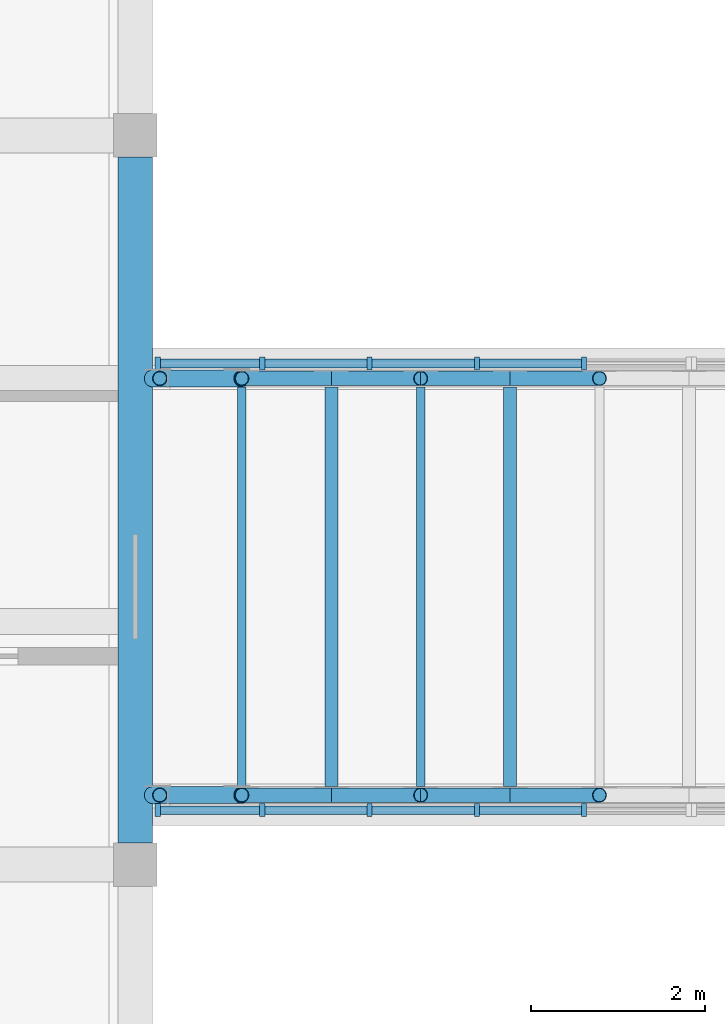
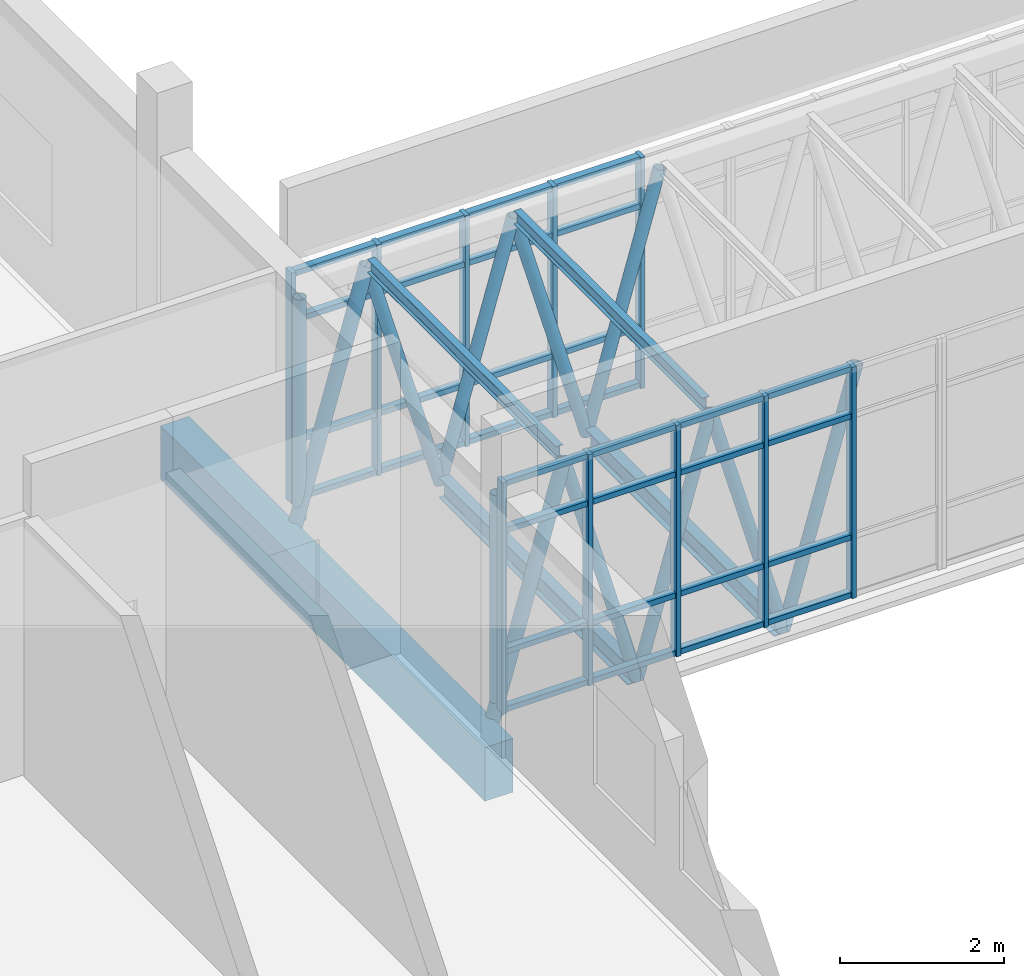
# One storey, part 3 of 119: 54 members, 5 beams, 2 elements without a shape of their own.
"""IFC4 building model written with IfcOpenShell, lengths in metres."""

from ifc_helpers import new_model, si_unit, direction, frame, origin, origin_2d, place, context, subcontext, project, spatial, rectangle, hollow_circle, i_section, extrude, material, layer, layer_set, material_profile, profile_set, type_object, element, aggregate, save


model = new_model("IFC4")

# Units and contexts
model_context = context("Model", 3, precision=1e-05, world=origin(), true_north=direction((0.0, 1.0)))
body_context = subcontext(model_context, "Body", "Model", "MODEL_VIEW")
ifc_project = project(units=[si_unit("LENGTHUNIT", "METRE"), si_unit("AREAUNIT", "SQUARE_METRE"), si_unit("VOLUMEUNIT", "CUBIC_METRE"), si_unit("PLANEANGLEUNIT", "RADIAN"), si_unit("MASSUNIT", "GRAM", prefix="KILO")], contexts=[model_context])

# Site, building, storey
site_placement = place(None, origin())
site = spatial("IfcSite", under=ifc_project, at=site_placement, CompositionType="ELEMENT")
building_placement = place(site_placement, origin())
building = spatial("IfcBuilding", under=site, at=building_placement, Name="Larchfold Concert Hall", CompositionType="ELEMENT")
storey_placement = place(building_placement, frame((0.0, 0.0, 4.800048828125)))
storey = spatial("IfcBuildingStorey", under=building, at=storey_placement, Name="L01", CompositionType="ELEMENT", Elevation=4.800048828125)

# Curtain wall, members
ifc_material_1 = material(Name="Anodised graphite aluminium curtain wall", Category="aluminium")
ifc_layer = layer(ifc_material_1, 0.14990234375)
ifc_layer_set = layer_set([ifc_layer], Name="Anodised graphite aluminium curtain wall")
curtain_wall_type = type_object("IfcCurtainWallType", Name="Curtain wall WG", PredefinedType="NOTDEFINED", material=ifc_layer_set)
curtain_wall_1_placement = place(storey_placement, origin())
curtain_wall_1 = element("IfcCurtainWall", 1, at=curtain_wall_1_placement, inside=storey, type_object=curtain_wall_type, Name="Curtain wall CW0303", PredefinedType="NOTDEFINED")
ifc_material_2 = material(Name="Anodised graphite aluminium mullion", Category="aluminium")
ifc_material_profile_1 = material_profile(ifc_material_2, rectangle(XDim=0.14990234375, YDim=0.06005859375, at=origin_2d()))
ifc_profile_set_1 = profile_set([ifc_material_profile_1], Name="Anodised graphite aluminium mullion")
member_type_1 = type_object("IfcMemberType", Name="Aluminium mullion 60x150", PredefinedType="MULLION", material=ifc_profile_set_1)
member_1_placement = place(storey_placement, frame((59.659912109375, 9.626708984375, 0.0), z_axis=(0.0, 0.0, 1.0), x_axis=(0.0, 1.0, 0.0)))
member_1 = element("IfcMember", 2, at=member_1_placement, type_object=member_type_1, Name="CW0303 mullion 1", PredefinedType="MULLION", context=body_context, shape_type="SweptSolid", body=[
    extrude(rectangle(XDim=0.14990234375, YDim=0.06005859375, at=origin_2d()), origin(), (0.0, 0.0, 1.0), 3.43994140625),
])
member_2_placement = place(storey_placement, frame((60.86572265625, 9.626708984375, 0.0), z_axis=(0.0, 0.0, 1.0), x_axis=(0.0, 1.0, 0.0)))
member_2 = element("IfcMember", 3, at=member_2_placement, type_object=member_type_1, Name="CW0303 mullion 2", PredefinedType="MULLION", context=body_context, shape_type="SweptSolid", body=[
    extrude(rectangle(XDim=0.14990234375, YDim=0.06005859375, at=origin_2d()), origin(), (0.0, 0.0, 1.0), 3.43994140625),
])
member_3_placement = place(storey_placement, frame((62.101318359375, 9.626708984375, 0.0), z_axis=(0.0, 0.0, 1.0), x_axis=(0.0, 1.0, 0.0)))
member_3 = element("IfcMember", 4, at=member_3_placement, type_object=member_type_1, Name="CW0303 mullion 3", PredefinedType="MULLION", context=body_context, shape_type="SweptSolid", body=[
    extrude(rectangle(XDim=0.14990234375, YDim=0.06005859375, at=origin_2d()), origin(), (0.0, 0.0, 1.0), 3.43994140625),
])
member_4_placement = place(storey_placement, frame((63.337158203125, 9.626708984375, 0.0), z_axis=(0.0, 0.0, 1.0), x_axis=(0.0, 1.0, 0.0)))
member_4 = element("IfcMember", 5, at=member_4_placement, type_object=member_type_1, Name="CW0303 mullion 4", PredefinedType="MULLION", context=body_context, shape_type="SweptSolid", body=[
    extrude(rectangle(XDim=0.14990234375, YDim=0.06005859375, at=origin_2d()), origin(), (0.0, 0.0, 1.0), 3.43994140625),
])
member_5_placement = place(storey_placement, frame((64.57275390625, 9.626708984375, 0.0), z_axis=(0.0, 0.0, 1.0), x_axis=(0.0, 1.0, 0.0)))
member_5 = element("IfcMember", 6, at=member_5_placement, type_object=member_type_1, Name="CW0303 mullion 5", PredefinedType="MULLION", context=body_context, shape_type="SweptSolid", body=[
    extrude(rectangle(XDim=0.14990234375, YDim=0.06005859375, at=origin_2d()), origin(), (0.0, 0.0, 1.0), 3.43994140625),
])

curtain_wall_2_placement = place(storey_placement, origin())
curtain_wall_2 = element("IfcCurtainWall", 7, at=curtain_wall_2_placement, inside=storey, type_object=curtain_wall_type, Name="Curtain wall CW0307", PredefinedType="NOTDEFINED")
member_6_placement = place(storey_placement, frame((59.659912109375, 14.7734375, 0.0), z_axis=(0.0, 0.0, 1.0), x_axis=(0.0, 1.0, 0.0)))
member_6 = element("IfcMember", 8, at=member_6_placement, type_object=member_type_1, Name="CW0307 mullion 1", PredefinedType="MULLION", context=body_context, shape_type="SweptSolid", body=[
    extrude(rectangle(XDim=0.14990234375, YDim=0.06005859375, at=origin_2d()), origin(), (0.0, 0.0, 1.0), 3.43994140625),
])
member_7_placement = place(storey_placement, frame((60.86572265625, 14.7734375, 0.0), z_axis=(0.0, 0.0, 1.0), x_axis=(0.0, 1.0, 0.0)))
member_7 = element("IfcMember", 9, at=member_7_placement, type_object=member_type_1, Name="CW0307 mullion 2", PredefinedType="MULLION", context=body_context, shape_type="SweptSolid", body=[
    extrude(rectangle(XDim=0.14990234375, YDim=0.06005859375, at=origin_2d()), origin(), (0.0, 0.0, 1.0), 3.43994140625),
])
member_8_placement = place(storey_placement, frame((62.101318359375, 14.7734375, 0.0), z_axis=(0.0, 0.0, 1.0), x_axis=(0.0, 1.0, 0.0)))
member_8 = element("IfcMember", 10, at=member_8_placement, type_object=member_type_1, Name="CW0307 mullion 3", PredefinedType="MULLION", context=body_context, shape_type="SweptSolid", body=[
    extrude(rectangle(XDim=0.14990234375, YDim=0.06005859375, at=origin_2d()), origin(), (0.0, 0.0, 1.0), 3.43994140625),
])
member_9_placement = place(storey_placement, frame((63.337158203125, 14.7734375, 0.0), z_axis=(0.0, 0.0, 1.0), x_axis=(0.0, 1.0, 0.0)))
member_9 = element("IfcMember", 11, at=member_9_placement, type_object=member_type_1, Name="CW0307 mullion 4", PredefinedType="MULLION", context=body_context, shape_type="SweptSolid", body=[
    extrude(rectangle(XDim=0.14990234375, YDim=0.06005859375, at=origin_2d()), origin(), (0.0, 0.0, 1.0), 3.43994140625),
])
member_10_placement = place(storey_placement, frame((64.57275390625, 14.7734375, 0.0), z_axis=(0.0, 0.0, 1.0), x_axis=(0.0, 1.0, 0.0)))
member_10 = element("IfcMember", 12, at=member_10_placement, type_object=member_type_1, Name="CW0307 mullion 5", PredefinedType="MULLION", context=body_context, shape_type="SweptSolid", body=[
    extrude(rectangle(XDim=0.14990234375, YDim=0.06005859375, at=origin_2d()), origin(), (0.0, 0.0, 1.0), 3.43994140625),
])

# Member
ifc_material_3 = material(Name="Anodised graphite aluminium transom", Category="aluminium")
ifc_material_profile_2 = material_profile(ifc_material_3, rectangle(XDim=0.10009765625, YDim=0.080078125, at=origin_2d()))
ifc_profile_set_2 = profile_set([ifc_material_profile_2], Name="Anodised graphite aluminium transom")
member_type_2 = type_object("IfcMemberType", Name="Aluminium transom 80x100", PredefinedType="USERDEFINED", material=ifc_profile_set_2)
member_11_placement = place(storey_placement, frame((59.68994140625, 9.626708984375, 0.0400390625), z_axis=(1.0, 0.0, 0.0), x_axis=(0.0, 1.0, 0.0)))
member_11 = element("IfcMember", 13, at=member_11_placement, type_object=member_type_2, Name="CW0303 transom 1.1", ObjectType="TRANSOM", PredefinedType="USERDEFINED", context=body_context, shape_type="SweptSolid", body=[
    extrude(rectangle(XDim=0.10009765625, YDim=0.080078125, at=origin_2d()), origin(), (0.0, 0.0, 1.0), 1.145751953125),
])

member_12_placement = place(storey_placement, frame((59.68994140625, 9.626708984375, 0.89990234375), z_axis=(1.0, 0.0, 0.0), x_axis=(0.0, 1.0, 0.0)))
member_12 = element("IfcMember", 14, at=member_12_placement, type_object=member_type_2, Name="CW0303 transom 1.2", ObjectType="TRANSOM", PredefinedType="USERDEFINED", context=body_context, shape_type="SweptSolid", body=[
    extrude(rectangle(XDim=0.10009765625, YDim=0.080078125, at=origin_2d()), origin(), (0.0, 0.0, 1.0), 1.145751953125),
])

member_13_placement = place(storey_placement, frame((59.68994140625, 9.626708984375, 2.699951171875), z_axis=(1.0, 0.0, 0.0), x_axis=(0.0, 1.0, 0.0)))
member_13 = element("IfcMember", 15, at=member_13_placement, type_object=member_type_2, Name="CW0303 transom 1.3", ObjectType="TRANSOM", PredefinedType="USERDEFINED", context=body_context, shape_type="SweptSolid", body=[
    extrude(rectangle(XDim=0.10009765625, YDim=0.080078125, at=origin_2d()), origin(), (0.0, 0.0, 1.0), 1.145751953125),
])

member_14_placement = place(storey_placement, frame((59.68994140625, 9.626708984375, 3.39990234375), z_axis=(1.0, 0.0, 0.0), x_axis=(0.0, 1.0, 0.0)))
member_14 = element("IfcMember", 16, at=member_14_placement, type_object=member_type_2, Name="CW0303 transom 1.4", ObjectType="TRANSOM", PredefinedType="USERDEFINED", context=body_context, shape_type="SweptSolid", body=[
    extrude(rectangle(XDim=0.10009765625, YDim=0.080078125, at=origin_2d()), origin(), (0.0, 0.0, 1.0), 1.145751953125),
])

member_15_placement = place(storey_placement, frame((60.8955078125, 9.626708984375, 0.0400390625), z_axis=(1.0, 0.0, 0.0), x_axis=(0.0, 1.0, 0.0)))
member_15 = element("IfcMember", 17, at=member_15_placement, type_object=member_type_2, Name="CW0303 transom 2.1", ObjectType="TRANSOM", PredefinedType="USERDEFINED", context=body_context, shape_type="SweptSolid", body=[
    extrude(rectangle(XDim=0.10009765625, YDim=0.080078125, at=origin_2d()), origin(), (0.0, 0.0, 1.0), 1.17578125),
])

member_16_placement = place(storey_placement, frame((60.8955078125, 9.626708984375, 0.89990234375), z_axis=(1.0, 0.0, 0.0), x_axis=(0.0, 1.0, 0.0)))
member_16 = element("IfcMember", 18, at=member_16_placement, type_object=member_type_2, Name="CW0303 transom 2.2", ObjectType="TRANSOM", PredefinedType="USERDEFINED", context=body_context, shape_type="SweptSolid", body=[
    extrude(rectangle(XDim=0.10009765625, YDim=0.080078125, at=origin_2d()), origin(), (0.0, 0.0, 1.0), 1.17578125),
])

member_17_placement = place(storey_placement, frame((60.8955078125, 9.626708984375, 2.699951171875), z_axis=(1.0, 0.0, 0.0), x_axis=(0.0, 1.0, 0.0)))
member_17 = element("IfcMember", 19, at=member_17_placement, type_object=member_type_2, Name="CW0303 transom 2.3", ObjectType="TRANSOM", PredefinedType="USERDEFINED", context=body_context, shape_type="SweptSolid", body=[
    extrude(rectangle(XDim=0.10009765625, YDim=0.080078125, at=origin_2d()), origin(), (0.0, 0.0, 1.0), 1.17578125),
])

member_18_placement = place(storey_placement, frame((60.8955078125, 9.626708984375, 3.39990234375), z_axis=(1.0, 0.0, 0.0), x_axis=(0.0, 1.0, 0.0)))
member_18 = element("IfcMember", 20, at=member_18_placement, type_object=member_type_2, Name="CW0303 transom 2.4", ObjectType="TRANSOM", PredefinedType="USERDEFINED", context=body_context, shape_type="SweptSolid", body=[
    extrude(rectangle(XDim=0.10009765625, YDim=0.080078125, at=origin_2d()), origin(), (0.0, 0.0, 1.0), 1.17578125),
])

member_19_placement = place(storey_placement, frame((62.13134765625, 9.626708984375, 0.0400390625), z_axis=(1.0, 0.0, 0.0), x_axis=(0.0, 1.0, 0.0)))
member_19 = element("IfcMember", 21, at=member_19_placement, type_object=member_type_2, Name="CW0303 transom 3.1", ObjectType="TRANSOM", PredefinedType="USERDEFINED", context=body_context, shape_type="SweptSolid", body=[
    extrude(rectangle(XDim=0.10009765625, YDim=0.080078125, at=origin_2d()), origin(), (0.0, 0.0, 1.0), 1.17578125),
])

member_20_placement = place(storey_placement, frame((62.13134765625, 9.626708984375, 0.89990234375), z_axis=(1.0, 0.0, 0.0), x_axis=(0.0, 1.0, 0.0)))
member_20 = element("IfcMember", 22, at=member_20_placement, type_object=member_type_2, Name="CW0303 transom 3.2", ObjectType="TRANSOM", PredefinedType="USERDEFINED", context=body_context, shape_type="SweptSolid", body=[
    extrude(rectangle(XDim=0.10009765625, YDim=0.080078125, at=origin_2d()), origin(), (0.0, 0.0, 1.0), 1.17578125),
])

member_21_placement = place(storey_placement, frame((62.13134765625, 9.626708984375, 2.699951171875), z_axis=(1.0, 0.0, 0.0), x_axis=(0.0, 1.0, 0.0)))
member_21 = element("IfcMember", 23, at=member_21_placement, type_object=member_type_2, Name="CW0303 transom 3.3", ObjectType="TRANSOM", PredefinedType="USERDEFINED", context=body_context, shape_type="SweptSolid", body=[
    extrude(rectangle(XDim=0.10009765625, YDim=0.080078125, at=origin_2d()), origin(), (0.0, 0.0, 1.0), 1.17578125),
])

member_22_placement = place(storey_placement, frame((62.13134765625, 9.626708984375, 3.39990234375), z_axis=(1.0, 0.0, 0.0), x_axis=(0.0, 1.0, 0.0)))
member_22 = element("IfcMember", 24, at=member_22_placement, type_object=member_type_2, Name="CW0303 transom 3.4", ObjectType="TRANSOM", PredefinedType="USERDEFINED", context=body_context, shape_type="SweptSolid", body=[
    extrude(rectangle(XDim=0.10009765625, YDim=0.080078125, at=origin_2d()), origin(), (0.0, 0.0, 1.0), 1.17578125),
])

member_23_placement = place(storey_placement, frame((63.3671875, 9.626708984375, 0.0400390625), z_axis=(1.0, 0.0, 0.0), x_axis=(0.0, 1.0, 0.0)))
member_23 = element("IfcMember", 25, at=member_23_placement, type_object=member_type_2, Name="CW0303 transom 4.1", ObjectType="TRANSOM", PredefinedType="USERDEFINED", context=body_context, shape_type="SweptSolid", body=[
    extrude(rectangle(XDim=0.10009765625, YDim=0.080078125, at=origin_2d()), origin(), (0.0, 0.0, 1.0), 1.17578125),
])

member_24_placement = place(storey_placement, frame((63.3671875, 9.626708984375, 0.89990234375), z_axis=(1.0, 0.0, 0.0), x_axis=(0.0, 1.0, 0.0)))
member_24 = element("IfcMember", 26, at=member_24_placement, type_object=member_type_2, Name="CW0303 transom 4.2", ObjectType="TRANSOM", PredefinedType="USERDEFINED", context=body_context, shape_type="SweptSolid", body=[
    extrude(rectangle(XDim=0.10009765625, YDim=0.080078125, at=origin_2d()), origin(), (0.0, 0.0, 1.0), 1.17578125),
])

member_25_placement = place(storey_placement, frame((63.3671875, 9.626708984375, 2.699951171875), z_axis=(1.0, 0.0, 0.0), x_axis=(0.0, 1.0, 0.0)))
member_25 = element("IfcMember", 27, at=member_25_placement, type_object=member_type_2, Name="CW0303 transom 4.3", ObjectType="TRANSOM", PredefinedType="USERDEFINED", context=body_context, shape_type="SweptSolid", body=[
    extrude(rectangle(XDim=0.10009765625, YDim=0.080078125, at=origin_2d()), origin(), (0.0, 0.0, 1.0), 1.17578125),
])

member_26_placement = place(storey_placement, frame((63.3671875, 9.626708984375, 3.39990234375), z_axis=(1.0, 0.0, 0.0), x_axis=(0.0, 1.0, 0.0)))
member_26 = element("IfcMember", 28, at=member_26_placement, type_object=member_type_2, Name="CW0303 transom 4.4", ObjectType="TRANSOM", PredefinedType="USERDEFINED", context=body_context, shape_type="SweptSolid", body=[
    extrude(rectangle(XDim=0.10009765625, YDim=0.080078125, at=origin_2d()), origin(), (0.0, 0.0, 1.0), 1.17578125),
])

aggregate(curtain_wall_1, [member_1, member_2, member_3, member_4, member_5, member_11, member_12, member_13, member_14, member_15, member_16, member_17, member_18, member_19, member_20, member_21, member_22, member_23, member_24, member_25, member_26])

member_27_placement = place(storey_placement, frame((59.68994140625, 14.7734375, 0.0400390625), z_axis=(1.0, 0.0, 0.0), x_axis=(0.0, 1.0, 0.0)))
member_27 = element("IfcMember", 29, at=member_27_placement, type_object=member_type_2, Name="CW0307 transom 1.1", ObjectType="TRANSOM", PredefinedType="USERDEFINED", context=body_context, shape_type="SweptSolid", body=[
    extrude(rectangle(XDim=0.10009765625, YDim=0.080078125, at=origin_2d()), origin(), (0.0, 0.0, 1.0), 1.145751953125),
])

member_28_placement = place(storey_placement, frame((59.68994140625, 14.7734375, 0.89990234375), z_axis=(1.0, 0.0, 0.0), x_axis=(0.0, 1.0, 0.0)))
member_28 = element("IfcMember", 30, at=member_28_placement, type_object=member_type_2, Name="CW0307 transom 1.2", ObjectType="TRANSOM", PredefinedType="USERDEFINED", context=body_context, shape_type="SweptSolid", body=[
    extrude(rectangle(XDim=0.10009765625, YDim=0.080078125, at=origin_2d()), origin(), (0.0, 0.0, 1.0), 1.145751953125),
])

member_29_placement = place(storey_placement, frame((59.68994140625, 14.7734375, 2.699951171875), z_axis=(1.0, 0.0, 0.0), x_axis=(0.0, 1.0, 0.0)))
member_29 = element("IfcMember", 31, at=member_29_placement, type_object=member_type_2, Name="CW0307 transom 1.3", ObjectType="TRANSOM", PredefinedType="USERDEFINED", context=body_context, shape_type="SweptSolid", body=[
    extrude(rectangle(XDim=0.10009765625, YDim=0.080078125, at=origin_2d()), origin(), (0.0, 0.0, 1.0), 1.145751953125),
])

member_30_placement = place(storey_placement, frame((59.68994140625, 14.7734375, 3.39990234375), z_axis=(1.0, 0.0, 0.0), x_axis=(0.0, 1.0, 0.0)))
member_30 = element("IfcMember", 32, at=member_30_placement, type_object=member_type_2, Name="CW0307 transom 1.4", ObjectType="TRANSOM", PredefinedType="USERDEFINED", context=body_context, shape_type="SweptSolid", body=[
    extrude(rectangle(XDim=0.10009765625, YDim=0.080078125, at=origin_2d()), origin(), (0.0, 0.0, 1.0), 1.145751953125),
])

member_31_placement = place(storey_placement, frame((60.8955078125, 14.7734375, 0.0400390625), z_axis=(1.0, 0.0, 0.0), x_axis=(0.0, 1.0, 0.0)))
member_31 = element("IfcMember", 33, at=member_31_placement, type_object=member_type_2, Name="CW0307 transom 2.1", ObjectType="TRANSOM", PredefinedType="USERDEFINED", context=body_context, shape_type="SweptSolid", body=[
    extrude(rectangle(XDim=0.10009765625, YDim=0.080078125, at=origin_2d()), origin(), (0.0, 0.0, 1.0), 1.17578125),
])

member_32_placement = place(storey_placement, frame((60.8955078125, 14.7734375, 0.89990234375), z_axis=(1.0, 0.0, 0.0), x_axis=(0.0, 1.0, 0.0)))
member_32 = element("IfcMember", 34, at=member_32_placement, type_object=member_type_2, Name="CW0307 transom 2.2", ObjectType="TRANSOM", PredefinedType="USERDEFINED", context=body_context, shape_type="SweptSolid", body=[
    extrude(rectangle(XDim=0.10009765625, YDim=0.080078125, at=origin_2d()), origin(), (0.0, 0.0, 1.0), 1.17578125),
])

member_33_placement = place(storey_placement, frame((60.8955078125, 14.7734375, 2.699951171875), z_axis=(1.0, 0.0, 0.0), x_axis=(0.0, 1.0, 0.0)))
member_33 = element("IfcMember", 35, at=member_33_placement, type_object=member_type_2, Name="CW0307 transom 2.3", ObjectType="TRANSOM", PredefinedType="USERDEFINED", context=body_context, shape_type="SweptSolid", body=[
    extrude(rectangle(XDim=0.10009765625, YDim=0.080078125, at=origin_2d()), origin(), (0.0, 0.0, 1.0), 1.17578125),
])

member_34_placement = place(storey_placement, frame((60.8955078125, 14.7734375, 3.39990234375), z_axis=(1.0, 0.0, 0.0), x_axis=(0.0, 1.0, 0.0)))
member_34 = element("IfcMember", 36, at=member_34_placement, type_object=member_type_2, Name="CW0307 transom 2.4", ObjectType="TRANSOM", PredefinedType="USERDEFINED", context=body_context, shape_type="SweptSolid", body=[
    extrude(rectangle(XDim=0.10009765625, YDim=0.080078125, at=origin_2d()), origin(), (0.0, 0.0, 1.0), 1.17578125),
])

member_35_placement = place(storey_placement, frame((62.13134765625, 14.7734375, 0.0400390625), z_axis=(1.0, 0.0, 0.0), x_axis=(0.0, 1.0, 0.0)))
member_35 = element("IfcMember", 37, at=member_35_placement, type_object=member_type_2, Name="CW0307 transom 3.1", ObjectType="TRANSOM", PredefinedType="USERDEFINED", context=body_context, shape_type="SweptSolid", body=[
    extrude(rectangle(XDim=0.10009765625, YDim=0.080078125, at=origin_2d()), origin(), (0.0, 0.0, 1.0), 1.17578125),
])

member_36_placement = place(storey_placement, frame((62.13134765625, 14.7734375, 0.89990234375), z_axis=(1.0, 0.0, 0.0), x_axis=(0.0, 1.0, 0.0)))
member_36 = element("IfcMember", 38, at=member_36_placement, type_object=member_type_2, Name="CW0307 transom 3.2", ObjectType="TRANSOM", PredefinedType="USERDEFINED", context=body_context, shape_type="SweptSolid", body=[
    extrude(rectangle(XDim=0.10009765625, YDim=0.080078125, at=origin_2d()), origin(), (0.0, 0.0, 1.0), 1.17578125),
])

member_37_placement = place(storey_placement, frame((62.13134765625, 14.7734375, 2.699951171875), z_axis=(1.0, 0.0, 0.0), x_axis=(0.0, 1.0, 0.0)))
member_37 = element("IfcMember", 39, at=member_37_placement, type_object=member_type_2, Name="CW0307 transom 3.3", ObjectType="TRANSOM", PredefinedType="USERDEFINED", context=body_context, shape_type="SweptSolid", body=[
    extrude(rectangle(XDim=0.10009765625, YDim=0.080078125, at=origin_2d()), origin(), (0.0, 0.0, 1.0), 1.17578125),
])

member_38_placement = place(storey_placement, frame((62.13134765625, 14.7734375, 3.39990234375), z_axis=(1.0, 0.0, 0.0), x_axis=(0.0, 1.0, 0.0)))
member_38 = element("IfcMember", 40, at=member_38_placement, type_object=member_type_2, Name="CW0307 transom 3.4", ObjectType="TRANSOM", PredefinedType="USERDEFINED", context=body_context, shape_type="SweptSolid", body=[
    extrude(rectangle(XDim=0.10009765625, YDim=0.080078125, at=origin_2d()), origin(), (0.0, 0.0, 1.0), 1.17578125),
])

member_39_placement = place(storey_placement, frame((63.3671875, 14.7734375, 0.0400390625), z_axis=(1.0, 0.0, 0.0), x_axis=(0.0, 1.0, 0.0)))
member_39 = element("IfcMember", 41, at=member_39_placement, type_object=member_type_2, Name="CW0307 transom 4.1", ObjectType="TRANSOM", PredefinedType="USERDEFINED", context=body_context, shape_type="SweptSolid", body=[
    extrude(rectangle(XDim=0.10009765625, YDim=0.080078125, at=origin_2d()), origin(), (0.0, 0.0, 1.0), 1.17578125),
])

member_40_placement = place(storey_placement, frame((63.3671875, 14.7734375, 0.89990234375), z_axis=(1.0, 0.0, 0.0), x_axis=(0.0, 1.0, 0.0)))
member_40 = element("IfcMember", 42, at=member_40_placement, type_object=member_type_2, Name="CW0307 transom 4.2", ObjectType="TRANSOM", PredefinedType="USERDEFINED", context=body_context, shape_type="SweptSolid", body=[
    extrude(rectangle(XDim=0.10009765625, YDim=0.080078125, at=origin_2d()), origin(), (0.0, 0.0, 1.0), 1.17578125),
])

member_41_placement = place(storey_placement, frame((63.3671875, 14.7734375, 2.699951171875), z_axis=(1.0, 0.0, 0.0), x_axis=(0.0, 1.0, 0.0)))
member_41 = element("IfcMember", 43, at=member_41_placement, type_object=member_type_2, Name="CW0307 transom 4.3", ObjectType="TRANSOM", PredefinedType="USERDEFINED", context=body_context, shape_type="SweptSolid", body=[
    extrude(rectangle(XDim=0.10009765625, YDim=0.080078125, at=origin_2d()), origin(), (0.0, 0.0, 1.0), 1.17578125),
])

member_42_placement = place(storey_placement, frame((63.3671875, 14.7734375, 3.39990234375), z_axis=(1.0, 0.0, 0.0), x_axis=(0.0, 1.0, 0.0)))
member_42 = element("IfcMember", 44, at=member_42_placement, type_object=member_type_2, Name="CW0307 transom 4.4", ObjectType="TRANSOM", PredefinedType="USERDEFINED", context=body_context, shape_type="SweptSolid", body=[
    extrude(rectangle(XDim=0.10009765625, YDim=0.080078125, at=origin_2d()), origin(), (0.0, 0.0, 1.0), 1.17578125),
])

aggregate(curtain_wall_2, [member_6, member_7, member_8, member_9, member_10, member_27, member_28, member_29, member_30, member_31, member_32, member_33, member_34, member_35, member_36, member_37, member_38, member_39, member_40, member_41, member_42])

# Beams
ifc_material_4 = material(Name="Steel S355", Category="steel")
ifc_material_profile_3 = material_profile(ifc_material_4, i_section(OverallWidth=0.10009765625, OverallDepth=0.199951171875, WebThickness=0.005615234375, FlangeThickness=0.008544921875, FilletRadius=0.011962890625, at=origin_2d()))
ifc_profile_set_3 = profile_set([ifc_material_profile_3], Name="Steel S355")
beam_type_1 = type_object("IfcBeamType", Name="Beam IPE 200", PredefinedType="BEAM", material=ifc_profile_set_3)
for number, where, z_axis, x_axis, name in (
    (45, (60.6298828125, 9.89990234375, 3.33984375), (0.0, 1.0, 0.0), (-1.0, 0.0, 0.0), "Beam LBR01"),
    (46, (62.68994140625, 9.89990234375, 3.33984375), (0.0, 1.0, 0.0), (-1.0, 0.0, 0.0), "Beam LBR02"),
):
    element("IfcBeam", number, at=place(storey_placement, frame(where, z_axis=z_axis, x_axis=x_axis)), inside=storey, type_object=beam_type_1, Name=name, PredefinedType="BEAM", context=body_context, shape_type="SweptSolid", body=[
        extrude(i_section(OverallWidth=0.10009765625, OverallDepth=0.199951171875, WebThickness=0.005615234375, FlangeThickness=0.008544921875, FilletRadius=0.011962890625, at=origin_2d()), origin(), (0.0, 0.0, 1.0), 4.60009765625),
    ])
ifc_material_5 = material(Name="Steel S355", Category="steel")
ifc_material_profile_4 = material_profile(ifc_material_5, i_section(OverallWidth=0.14990234375, OverallDepth=0.300048828125, WebThickness=0.007080078125, FlangeThickness=0.0107421875, FilletRadius=0.014892578125, at=origin_2d()))
ifc_profile_set_4 = profile_set([ifc_material_profile_4], Name="Steel S355")
beam_type_2 = type_object("IfcBeamType", Name="Beam IPE 300", PredefinedType="BEAM", material=ifc_profile_set_4)
for number, where, z_axis, x_axis, name in (
    (47, (61.659912109375, 9.89990234375, -0.31005859375), (0.0, 1.0, 0.0), (-1.0, 0.0, 0.0), "Beam LBF01"),
    (48, (63.719970703125, 9.89990234375, -0.31005859375), (0.0, 1.0, 0.0), (-1.0, 0.0, 0.0), "Beam LBF02"),
):
    element("IfcBeam", number, at=place(storey_placement, frame(where, z_axis=z_axis, x_axis=x_axis)), inside=storey, type_object=beam_type_2, Name=name, PredefinedType="BEAM", context=body_context, shape_type="SweptSolid", body=[
        extrude(i_section(OverallWidth=0.14990234375, OverallDepth=0.300048828125, WebThickness=0.007080078125, FlangeThickness=0.0107421875, FilletRadius=0.014892578125, at=origin_2d()), origin(), (0.0, 0.0, 1.0), 4.60009765625),
    ])
ifc_material_6 = material(Name="Concrete C35/45", Category="concrete")
ifc_material_profile_5 = material_profile(ifc_material_6, rectangle(XDim=0.39990234375, YDim=0.800048828125, at=origin_2d()))
ifc_profile_set_5 = profile_set([ifc_material_profile_5], Name="Concrete C35/45")
beam_type_3 = type_object("IfcBeamType", Name="Beam RC 400x800", PredefinedType="BEAM", material=ifc_profile_set_5)
beam_placement = place(storey_placement, frame((59.39990234375, 9.25, -0.56005859375), z_axis=(0.0, 1.0, 0.0), x_axis=(-1.0, 0.0, 0.0)))
element("IfcBeam", 49, at=beam_placement, inside=storey, type_object=beam_type_3, Name="Beam B0118", PredefinedType="BEAM", context=body_context, shape_type="SweptSolid", body=[
    extrude(rectangle(XDim=0.39990234375, YDim=0.800048828125, at=origin_2d()), origin(), (0.0, 0.0, 1.0), 7.89990234375),
])

# Members
ifc_material_7 = material(Name="Steel S355J2H", Category="steel")
ifc_material_profile_6 = material_profile(ifc_material_7, hollow_circle(Radius=0.084228515625, WallThickness=0.008056640625, at=origin_2d()))
ifc_profile_set_6 = profile_set([ifc_material_profile_6], Name="Steel S355J2H")
member_type_3 = type_object("IfcMemberType", Name="Link truss post CHS 168.3x8", PredefinedType="POST", material=ifc_profile_set_6)
for number, where, z_axis, x_axis, name in (
    (50, (59.68408203125, 9.800048828125, -0.16015625), (0.0, 0.0, 1.0), (1.0, 0.0, 0.0), "Member LB1V01"),
    (51, (59.68408203125, 14.60009765625, -0.16015625), (0.0, 0.0, 1.0), (1.0, 0.0, 0.0), "Member LB2V01"),
):
    element("IfcMember", number, at=place(storey_placement, frame(where, z_axis=z_axis, x_axis=x_axis)), inside=storey, type_object=member_type_3, Name=name, PredefinedType="POST", context=body_context, shape_type="SweptSolid", body=[
        extrude(hollow_circle(Radius=0.084228515625, WallThickness=0.008056640625, at=origin_2d()), origin(), (0.0, 0.0, 1.0), 3.30029296875),
    ])
ifc_material_8 = material(Name="Steel S355J2H", Category="steel")
ifc_material_profile_7 = material_profile(ifc_material_8, hollow_circle(Radius=0.084228515625, WallThickness=0.008056640625, at=origin_2d()))
ifc_profile_set_7 = profile_set([ifc_material_profile_7], Name="Steel S355J2H")
member_type_4 = type_object("IfcMemberType", Name="Link truss web CHS 168.3x8", PredefinedType="BRACE", material=ifc_profile_set_7)
for number, where, z_axis, x_axis, name in (
    (52, (60.6298828125, 9.800048828125, 3.2900390625), (0.275074167583, 0.0, -0.961423009049), (0.0, 1.0, 0.0), "Member LB1D02"),
    (53, (61.659912109375, 9.800048828125, -0.31005859375), (0.275074167583, 0.0, 0.961423009049), (0.0, 1.0, 0.0), "Member LB1D03"),
    (54, (62.68994140625, 9.800048828125, 3.2900390625), (0.275074167583, 0.0, -0.961423009049), (0.0, 1.0, 0.0), "Member LB1D04"),
    (55, (63.719970703125, 9.800048828125, -0.31005859375), (0.275074167583, 0.0, 0.961423009049), (0.0, 1.0, 0.0), "Member LB1D05"),
    (56, (60.6298828125, 14.60009765625, 3.2900390625), (0.275074167583, 0.0, -0.961423009049), (0.0, 1.0, 0.0), "Member LB2D02"),
    (57, (61.659912109375, 14.60009765625, -0.31005859375), (0.275074167583, 0.0, 0.961423009049), (0.0, 1.0, 0.0), "Member LB2D03"),
    (58, (62.68994140625, 14.60009765625, 3.2900390625), (0.275074167583, 0.0, -0.961423009049), (0.0, 1.0, 0.0), "Member LB2D04"),
    (59, (63.719970703125, 14.60009765625, -0.31005859375), (0.275074167583, 0.0, 0.961423009049), (0.0, 1.0, 0.0), "Member LB2D05"),
):
    element("IfcMember", number, at=place(storey_placement, frame(where, z_axis=z_axis, x_axis=x_axis)), inside=storey, type_object=member_type_4, Name=name, PredefinedType="BRACE", context=body_context, shape_type="SweptSolid", body=[
        extrude(hollow_circle(Radius=0.084228515625, WallThickness=0.008056640625, at=origin_2d()), origin(), (0.0, 0.0, 1.0), 3.74462890625),
    ])
ifc_material_9 = material(Name="Steel S355J2H", Category="steel")
ifc_material_profile_8 = material_profile(ifc_material_9, hollow_circle(Radius=0.096923828125, WallThickness=0.008056640625, at=origin_2d()))
ifc_profile_set_8 = profile_set([ifc_material_profile_8], Name="Steel S355J2H")
member_type_5 = type_object("IfcMemberType", Name="Link truss web CHS 193.7x8", PredefinedType="BRACE", material=ifc_profile_set_8)
for number, where, z_axis, x_axis, name in (
    (60, (59.599853515625, 9.800048828125, -0.31005859375), (0.275074167583, 0.0, 0.961423009049), (0.0, 1.0, 0.0), "Member LB1D01"),
    (61, (59.599853515625, 14.60009765625, -0.31005859375), (0.275074167583, 0.0, 0.961423009049), (0.0, 1.0, 0.0), "Member LB2D01"),
):
    element("IfcMember", number, at=place(storey_placement, frame(where, z_axis=z_axis, x_axis=x_axis)), inside=storey, type_object=member_type_5, Name=name, PredefinedType="BRACE", context=body_context, shape_type="SweptSolid", body=[
        extrude(hollow_circle(Radius=0.096923828125, WallThickness=0.008056640625, at=origin_2d()), origin(), (0.0, 0.0, 1.0), 3.74462890625),
    ])

save(model, "model.ifc")
